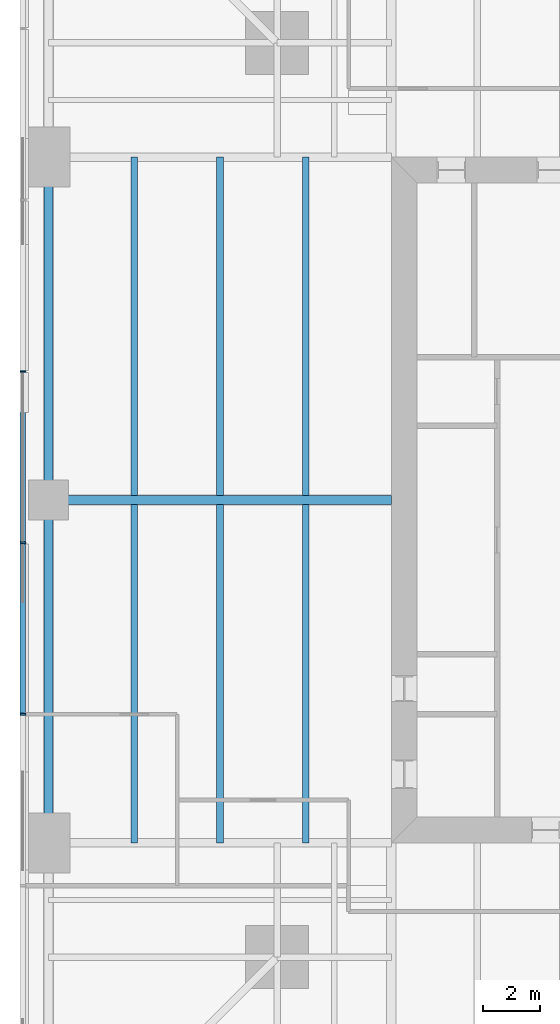
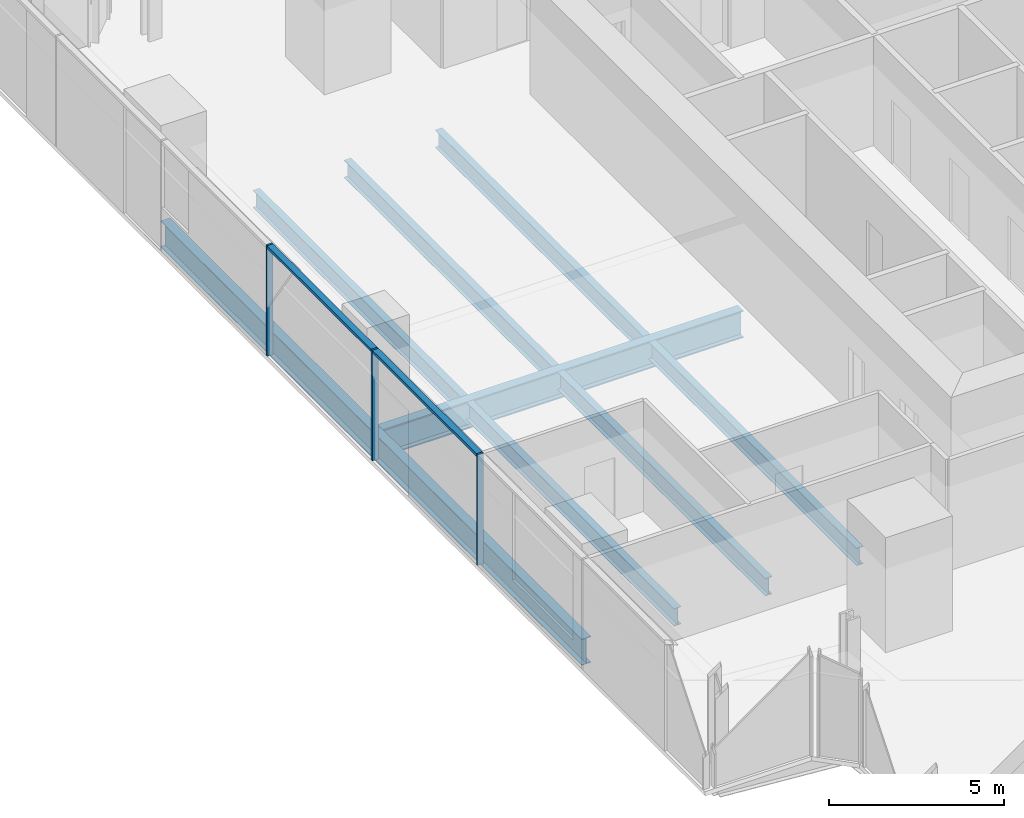
# One storey, part 4 of 13: 9 beams, 5 members, 1 element without a shape of its own.
"""IFC4 building model written with IfcOpenShell, lengths in metres."""

from ifc_helpers import new_model, si_unit, direction, frame, origin, origin_2d, place, context, subcontext, project, spatial, rectangle, i_section, extrude, material, material_profile, profile_set, type_object, element, aggregate, save


model = new_model("IFC4")

# Units and contexts
model_context = context("Model", 3, precision=1e-05, world=origin(), true_north=direction((0.0, 1.0)))
body_context = subcontext(model_context, "Body", "Model", "MODEL_VIEW")
ifc_project = project(units=[si_unit("LENGTHUNIT", "METRE"), si_unit("AREAUNIT", "SQUARE_METRE"), si_unit("VOLUMEUNIT", "CUBIC_METRE"), si_unit("PLANEANGLEUNIT", "RADIAN"), si_unit("MASSUNIT", "GRAM", prefix="KILO")], contexts=[model_context])

# Site, building, storey
site_placement = place(None, origin())
site = spatial("IfcSite", under=ifc_project, at=site_placement, CompositionType="ELEMENT")
building_placement = place(site_placement, origin())
building = spatial("IfcBuilding", under=site, at=building_placement, Name="Fenwick Lantern Interchange", CompositionType="ELEMENT")
storey_placement = place(building_placement, frame((0.0, 0.0, 102.39990234375)))
storey = spatial("IfcBuildingStorey", under=building, at=storey_placement, Name="L23", CompositionType="ELEMENT", Elevation=102.39990234375)

# Beams
ifc_material_1 = material(Name="Steel ASTM A992 Grade 50", Category="steel")
ifc_material_profile_1 = material_profile(ifc_material_1, i_section(OverallWidth=0.3046875, OverallDepth=0.911865234375, WebThickness=0.015869140625, FlangeThickness=0.02392578125, at=origin_2d()), Name="W36X150")
ifc_profile_set_1 = profile_set([ifc_material_profile_1], Name="Steel ASTM A992 Grade 50")
beam_type_1 = type_object("IfcBeamType", Name="EDGE BEAM W36X150", PredefinedType="SPANDREL", material=ifc_profile_set_1)
for number, where, z_axis, x_axis, name in (
    (1, (1.0, 37.0, -0.605712890625), (0.0, -1.0, 0.0), (1.0, 0.0, 0.0), "L23/FR/W/EB2"),
    (2, (1.0, 25.0, -0.605712890625), (0.0, -1.0, 0.0), (1.0, 0.0, 0.0), "L23/FR/W/EB3"),
):
    element("IfcBeam", number, at=place(storey_placement, frame(where, z_axis=z_axis, x_axis=x_axis)), inside=storey, type_object=beam_type_1, Name=name, PredefinedType="SPANDREL", context=body_context, shape_type="SweptSolid", body=[
        extrude(i_section(OverallWidth=0.3046875, OverallDepth=0.911865234375, WebThickness=0.015869140625, FlangeThickness=0.02392578125, at=origin_2d()), origin(), (0.0, 0.0, 1.0), 12.0),
    ])
ifc_material_profile_2 = material_profile(ifc_material_1, i_section(OverallWidth=0.22900390625, OverallDepth=0.612060546875, WebThickness=0.011962890625, FlangeThickness=0.01953125, at=origin_2d()), Name="W24X84")
ifc_profile_set_2 = profile_set([ifc_material_profile_2], Name="Steel ASTM A992 Grade 50")
beam_type_2 = type_object("IfcBeamType", Name="FLOOR BEAM W24X84", PredefinedType="BEAM", material=ifc_profile_set_2)
for number, where, z_axis, x_axis, name in (
    (3, (4.0, 37.0, -0.4560546875), (0.0, -1.0, 0.0), (1.0, 0.0, 0.0), "L23/FR/W/B01"),
    (4, (7.0, 37.0, -0.4560546875), (0.0, -1.0, 0.0), (1.0, 0.0, 0.0), "L23/FR/W/B02"),
    (5, (10.0, 37.0, -0.4560546875), (0.0, -1.0, 0.0), (1.0, 0.0, 0.0), "L23/FR/W/B03"),
    (6, (4.0, 24.844970703125, -0.4560546875), (0.0, -1.0, 0.0), (1.0, 0.0, 0.0), "L23/FR/W/B04"),
    (7, (7.0, 24.844970703125, -0.4560546875), (0.0, -1.0, 0.0), (1.0, 0.0, 0.0), "L23/FR/W/B05"),
    (8, (10.0, 24.844970703125, -0.4560546875), (0.0, -1.0, 0.0), (1.0, 0.0, 0.0), "L23/FR/W/B06"),
):
    element("IfcBeam", number, at=place(storey_placement, frame(where, z_axis=z_axis, x_axis=x_axis)), inside=storey, type_object=beam_type_2, Name=name, PredefinedType="BEAM", context=body_context, shape_type="SweptSolid", body=[
        extrude(i_section(OverallWidth=0.22900390625, OverallDepth=0.612060546875, WebThickness=0.011962890625, FlangeThickness=0.01953125, at=origin_2d()), origin(), (0.0, 0.0, 1.0), 11.844970703125),
    ])
ifc_material_profile_3 = material_profile(ifc_material_1, i_section(OverallWidth=0.309814453125, OverallDepth=0.949951171875, WebThickness=0.0244140625, FlangeThickness=0.0439453125, at=origin_2d()), Name="W36X256")
ifc_profile_set_3 = profile_set([ifc_material_profile_3], Name="Steel ASTM A992 Grade 50")
beam_type_3 = type_object("IfcBeamType", Name="MOMENT-CONNECTED GIRDER W36X256", PredefinedType="BEAM", material=ifc_profile_set_3)
beam_placement = place(storey_placement, frame((1.0, 25.0, -0.625), z_axis=(1.0, 0.0, 0.0), x_axis=(0.0, 1.0, 0.0)))
element("IfcBeam", 9, at=beam_placement, inside=storey, type_object=beam_type_3, Name="L23/FR/W/R02", PredefinedType="BEAM", context=body_context, shape_type="SweptSolid", body=[
    extrude(i_section(OverallWidth=0.309814453125, OverallDepth=0.949951171875, WebThickness=0.0244140625, FlangeThickness=0.0439453125, at=origin_2d()), origin(), (0.0, 0.0, 1.0), 12.0),
])

# Curtain wall, members
ifc_material_2 = material(Name="Aluminium curtain wall frame", Category="aluminium")
curtain_wall_type = type_object("IfcCurtainWallType", Name="OFFICE CURTAIN WALL", PredefinedType="USERDEFINED", material=ifc_material_2)
curtain_wall_placement = place(storey_placement, origin())
curtain_wall = element("IfcCurtainWall", 10, at=curtain_wall_placement, inside=storey, type_object=curtain_wall_type, Name="Office curtain wall 13", ObjectType="OFFICE CURTAIN WALL", PredefinedType="USERDEFINED")
ifc_material_3 = material(Name="Aluminium extrusion", Category="aluminium")
ifc_material_profile_4 = material_profile(ifc_material_3, rectangle(XDim=0.199951171875, YDim=0.06494140625, at=origin_2d()), Name="OFFICE CURTAIN WALL MULLION 65 X 200")
ifc_profile_set_4 = profile_set([ifc_material_profile_4], Name="Aluminium extrusion")
member_type_1 = type_object("IfcMemberType", Name="OFFICE CURTAIN WALL MULLION 65 X 200", PredefinedType="MULLION", material=ifc_profile_set_4)
member_1_placement = place(storey_placement, frame((0.10009765625, 29.5, 0.0), z_axis=(0.0, 0.0, 1.0), x_axis=(1.0, 0.0, 0.0)))
member_1 = element("IfcMember", 11, at=member_1_placement, type_object=member_type_1, Name="L23/CW/13/M03", PredefinedType="MULLION", context=body_context, shape_type="SweptSolid", body=[
    extrude(rectangle(XDim=0.199951171875, YDim=0.06494140625, at=origin_2d()), origin(), (0.0, 0.0, 1.0), 3.85009765625),
])
member_2_placement = place(storey_placement, frame((0.10009765625, 23.5, 0.0), z_axis=(0.0, 0.0, 1.0), x_axis=(1.0, 0.0, 0.0)))
member_2 = element("IfcMember", 12, at=member_2_placement, type_object=member_type_1, Name="L23/CW/13/M04", PredefinedType="MULLION", context=body_context, shape_type="SweptSolid", body=[
    extrude(rectangle(XDim=0.199951171875, YDim=0.06494140625, at=origin_2d()), origin(), (0.0, 0.0, 1.0), 3.85009765625),
])
member_3_placement = place(storey_placement, frame((0.10009765625, 17.5, 0.0), z_axis=(0.0, 0.0, 1.0), x_axis=(1.0, 0.0, 0.0)))
member_3 = element("IfcMember", 13, at=member_3_placement, type_object=member_type_1, Name="L23/CW/13/M05", PredefinedType="MULLION", context=body_context, shape_type="SweptSolid", body=[
    extrude(rectangle(XDim=0.199951171875, YDim=0.06494140625, at=origin_2d()), origin(), (0.0, 0.0, 1.0), 3.85009765625),
])
ifc_material_profile_5 = material_profile(ifc_material_3, rectangle(XDim=0.199951171875, YDim=0.10009765625, at=origin_2d()), Name="OFFICE CURTAIN WALL TRANSOM 100 X 200")
ifc_profile_set_5 = profile_set([ifc_material_profile_5], Name="Aluminium extrusion")
member_type_2 = type_object("IfcMemberType", Name="OFFICE CURTAIN WALL TRANSOM 100 X 200", PredefinedType="MULLION", material=ifc_profile_set_5)
member_4_placement = place(storey_placement, frame((0.10009765625, 29.467529296875, 3.800048828125), z_axis=(0.0, -1.0, 0.0), x_axis=(1.0, 0.0, 0.0)))
member_4 = element("IfcMember", 14, at=member_4_placement, type_object=member_type_2, Name="L23/CW/13/T03", PredefinedType="MULLION", context=body_context, shape_type="SweptSolid", body=[
    extrude(rectangle(XDim=0.199951171875, YDim=0.10009765625, at=origin_2d()), origin(), (0.0, 0.0, 1.0), 5.93505859375),
])
member_5_placement = place(storey_placement, frame((0.10009765625, 23.467529296875, 3.800048828125), z_axis=(0.0, -1.0, 0.0), x_axis=(1.0, 0.0, 0.0)))
member_5 = element("IfcMember", 15, at=member_5_placement, type_object=member_type_2, Name="L23/CW/13/T04", PredefinedType="MULLION", context=body_context, shape_type="SweptSolid", body=[
    extrude(rectangle(XDim=0.199951171875, YDim=0.10009765625, at=origin_2d()), origin(), (0.0, 0.0, 1.0), 5.93505859375),
])
aggregate(curtain_wall, [member_1, member_2, member_3, member_4, member_5])

save(model, "model.ifc")
